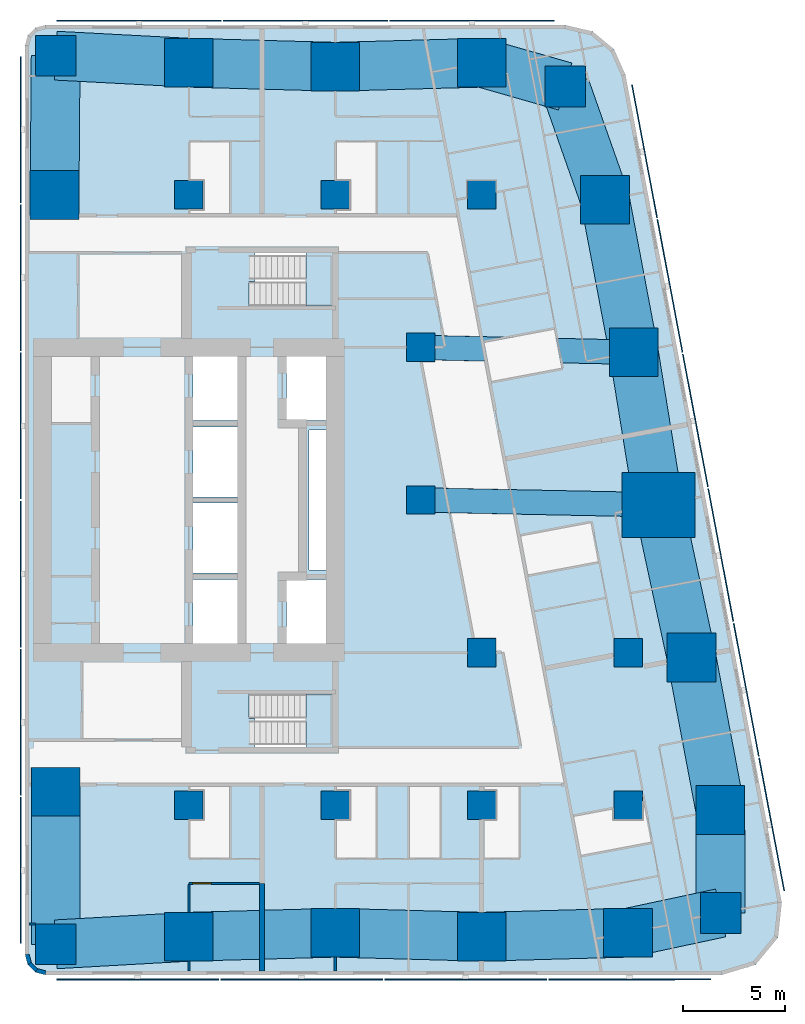
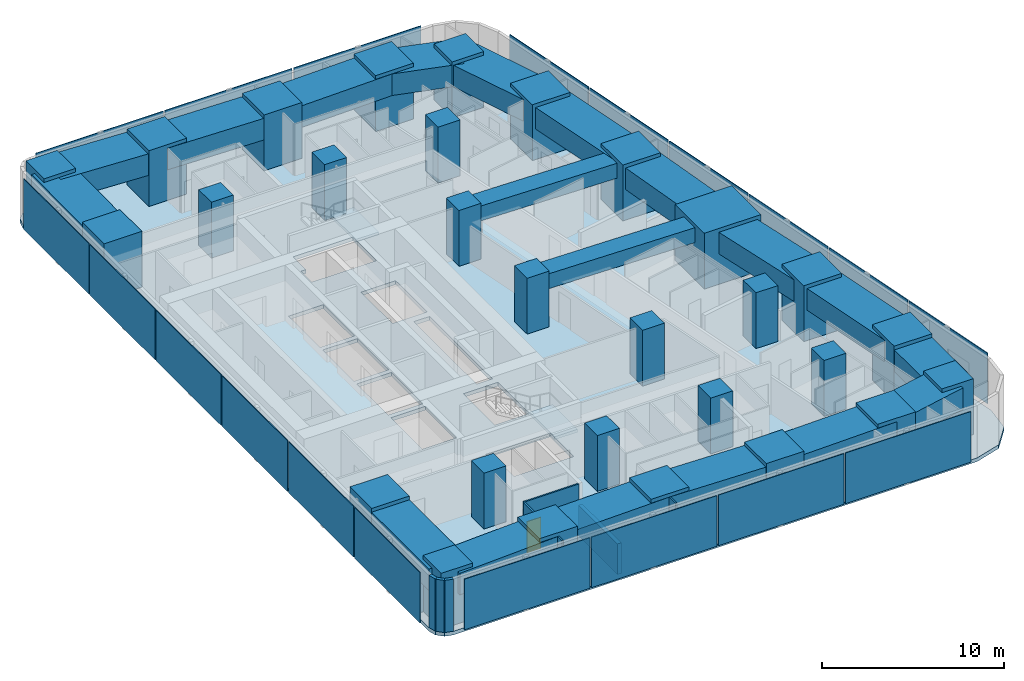
# One storey, part 1 of 10: 29 columns, 19 beams, 19 plates, 9 walls, 3 slabs, 1 door, 1 opening, 2 elements without a shape of their own.
"""IFC4 building model written with IfcOpenShell, lengths in metres."""

from ifc_helpers import new_model, si_unit, direction, frame, frame_2d, origin, origin_2d, place, context, subcontext, project, spatial, polyline, rectangle, outline, extrude, material, layer, layer_set, material_profile, profile_set, type_object, element, fill, aggregate, save


model = new_model("IFC4")

# Units and contexts
model_context = context("Model", 3, precision=1e-05, world=origin(), true_north=direction((0.0, 1.0)))
body_context = subcontext(model_context, "Body", "Model", "MODEL_VIEW")
ifc_project = project(units=[si_unit("LENGTHUNIT", "METRE"), si_unit("AREAUNIT", "SQUARE_METRE"), si_unit("VOLUMEUNIT", "CUBIC_METRE"), si_unit("PLANEANGLEUNIT", "RADIAN"), si_unit("MASSUNIT", "GRAM", prefix="KILO")], contexts=[model_context])

# Site, building, storey
site_placement = place(None, origin())
site = spatial("IfcSite", under=ifc_project, at=site_placement, CompositionType="ELEMENT")
building_placement = place(site_placement, origin())
building = spatial("IfcBuilding", under=site, at=building_placement, Name="Sheger Commons Tower", CompositionType="ELEMENT")
storey_placement = place(building_placement, frame((0.0, 0.0, 227.449951171875)))
storey = spatial("IfcBuildingStorey", under=building, at=storey_placement, Name="L58", CompositionType="ELEMENT", Elevation=227.449951171875)

# Columns
ifc_material_1 = material(Name="Concrete C50/60", Category="concrete")
ifc_material_profile_1 = material_profile(ifc_material_1, rectangle(XDim=3.60009765625, YDim=3.199951171875, at=origin_2d()), Name="RC 3600x3200")
ifc_profile_set_1 = profile_set([ifc_material_profile_1], Name="Concrete C50/60")
column_type_1 = type_object("IfcColumnType", Name="COLUMN PIER RC 3600x3200", PredefinedType="COLUMN", material=ifc_profile_set_1)
column_placement = place(storey_placement, frame((44.697021484375, 22.262939453125, 0.0), z_axis=(0.0, 0.0, 1.0), x_axis=(1.0, 0.0, 0.0)))
element("IfcColumn", 1, at=column_placement, inside=storey, type_object=column_type_1, Name="Pier 7/D+E/D L58", PredefinedType="COLUMN", context=body_context, shape_type="SweptSolid", body=[
    extrude(rectangle(XDim=3.60009765625, YDim=3.199951171875, at=origin_2d()), origin(), (0.0, 0.0, 1.0), 3.75),
])
ifc_material_2 = material(Name="Concrete C50/60", Category="concrete")
ifc_material_profile_2 = material_profile(ifc_material_2, rectangle(XDim=1.39990234375, YDim=1.39990234375, at=origin_2d()), Name="RC 1400x1400")
ifc_profile_set_2 = profile_set([ifc_material_profile_2], Name="Concrete C50/60")
column_type_2 = type_object("IfcColumnType", Name="COLUMN RC 1400x1400", PredefinedType="COLUMN", material=ifc_profile_set_2)
for number, where, z_axis, x_axis, name in (
    (2, (21.60009765625, 7.5, 0.0), (0.0, 0.0, 1.0), (1.0, 0.0, 0.0), "Column 4/B L58"),
    (3, (28.800048828125, 7.5, 0.0), (0.0, 0.0, 1.0), (1.0, 0.0, 0.0), "Column 5/B L58"),
    (4, (36.0, 7.5, 0.0), (0.0, 0.0, 1.0), (1.0, 0.0, 0.0), "Column 6/B L58"),
    (5, (43.199951171875, 7.5, 0.0), (0.0, 0.0, 1.0), (1.0, 0.0, 0.0), "Column 7/B L58"),
    (6, (36.0, 15.0, 0.0), (0.0, 0.0, 1.0), (1.0, 0.0, 0.0), "Column 6/C L58"),
    (7, (43.199951171875, 15.0, 0.0), (0.0, 0.0, 1.0), (1.0, 0.0, 0.0), "Column 7/C L58"),
    (8, (33.0, 22.5, 0.0), (0.0, 0.0, 1.0), (1.0, 0.0, 0.0), "Column 6-3000/D L58"),
    (9, (33.0, 30.0, 0.0), (0.0, 0.0, 1.0), (1.0, 0.0, 0.0), "Column 6-3000/E L58"),
    (10, (21.60009765625, 37.5, 0.0), (0.0, 0.0, 1.0), (1.0, 0.0, 0.0), "Column 4/F L58"),
    (11, (28.800048828125, 37.5, 0.0), (0.0, 0.0, 1.0), (1.0, 0.0, 0.0), "Column 5/F L58"),
    (12, (36.0, 37.5, 0.0), (0.0, 0.0, 1.0), (1.0, 0.0, 0.0), "Column 6/F L58"),
):
    element("IfcColumn", number, at=place(storey_placement, frame(where, z_axis=z_axis, x_axis=x_axis)), inside=storey, type_object=column_type_2, Name=name, PredefinedType="COLUMN", context=body_context, shape_type="SweptSolid", body=[
        extrude(rectangle(XDim=1.39990234375, YDim=1.39990234375, at=origin_2d()), origin(), (0.0, 0.0, 1.0), 3.75),
    ])
ifc_material_3 = material(Name="Concrete C50/60", Category="concrete")
ifc_material_profile_3 = material_profile(ifc_material_3, rectangle(XDim=2.0, YDim=2.0, at=origin_2d()), Name="RC 2000x2000")
ifc_profile_set_3 = profile_set([ifc_material_profile_3], Name="Concrete C50/60")
column_type_3 = type_object("IfcColumnType", Name="COLUMN RC 2000x2000", PredefinedType="COLUMN", material=ifc_profile_set_3)
for number, where, z_axis, x_axis, name in (
    (13, (15.053955078125, 0.654052734375, 0.0), (0.0, 0.0, 1.0), (1.0, 0.0, 0.0), "Column 3/A L58"),
    (14, (47.748046875, 2.197021484375, 0.0), (0.0, 0.0, 1.0), (1.0, 0.0, 0.0), "Column 49.461,0.778 L58"),
    (15, (40.10205078125, 42.830078125, 0.0), (0.0, 0.0, 1.0), (1.0, 0.0, 0.0), "Column 41.490,44.505 L58"),
    (16, (15.053955078125, 44.345947265625, 0.0), (0.0, 0.0, 1.0), (1.0, 0.0, 0.0), "Column 3/G L58"),
):
    element("IfcColumn", number, at=place(storey_placement, frame(where, z_axis=z_axis, x_axis=x_axis)), inside=storey, type_object=column_type_3, Name=name, PredefinedType="COLUMN", context=body_context, shape_type="SweptSolid", body=[
        extrude(rectangle(XDim=2.0, YDim=2.0, at=origin_2d()), origin(), (0.0, 0.0, 1.0), 3.75),
    ])
ifc_material_4 = material(Name="Concrete C50/60", Category="concrete")
ifc_material_profile_4 = material_profile(ifc_material_4, rectangle(XDim=2.39990234375, YDim=2.39990234375, at=origin_2d()), Name="RC 2400x2400")
ifc_profile_set_4 = profile_set([ifc_material_profile_4], Name="Concrete C50/60")
column_type_4 = type_object("IfcColumnType", Name="COLUMN RC 2400x2400", PredefinedType="COLUMN", material=ifc_profile_set_4)
for number, where, z_axis, x_axis, name in (
    (17, (21.60009765625, 1.02490234375, 0.0), (0.0, 0.0, 1.0), (1.0, 0.0, 0.0), "Column 4/A L58"),
    (18, (28.800048828125, 1.22509765625, 0.0), (0.0, 0.0, 1.0), (1.0, 0.0, 0.0), "Column 5/A L58"),
    (19, (36.0, 1.02490234375, 0.0), (0.0, 0.0, 1.0), (1.0, 0.0, 0.0), "Column 6/A L58"),
    (20, (43.199951171875, 1.22509765625, 0.0), (0.0, 0.0, 1.0), (1.0, 0.0, 0.0), "Column 7/A L58"),
    (21, (15.053955078125, 8.154052734375, 0.0), (0.0, 0.0, 1.0), (1.0, 0.0, 0.0), "Column 3/B L58"),
    (22, (47.72998046875, 7.262939453125, 0.0), (0.0, 0.0, 1.0), (1.0, 0.0, 0.0), "Column E/B L58"),
    (23, (46.31396484375, 14.762939453125, 0.0), (0.0, 0.0, 1.0), (1.0, 0.0, 0.0), "Column E/C L58"),
    (24, (43.47998046875, 29.762939453125, 0.0), (0.0, 0.0, 1.0), (1.0, 0.0, 0.0), "Column E/E L58"),
    (25, (15.0, 37.5, 0.0), (0.0, 0.0, 1.0), (1.0, 0.0, 0.0), "Column 3/F L58"),
    (26, (42.06396484375, 37.262939453125, 0.0), (0.0, 0.0, 1.0), (1.0, 0.0, 0.0), "Column E/F L58"),
    (27, (21.60009765625, 44.0, 0.0), (0.0, 0.0, 1.0), (1.0, 0.0, 0.0), "Column 4/G L58"),
    (28, (28.800048828125, 43.800048828125, 0.0), (0.0, 0.0, 1.0), (1.0, 0.0, 0.0), "Column 5/G L58"),
    (29, (36.0, 44.0, 0.0), (0.0, 0.0, 1.0), (1.0, 0.0, 0.0), "Column 6/G L58"),
):
    element("IfcColumn", number, at=place(storey_placement, frame(where, z_axis=z_axis, x_axis=x_axis)), inside=storey, type_object=column_type_4, Name=name, PredefinedType="COLUMN", context=body_context, shape_type="SweptSolid", body=[
        extrude(rectangle(XDim=2.39990234375, YDim=2.39990234375, at=origin_2d()), origin(), (0.0, 0.0, 1.0), 3.75),
    ])

# Beams
ifc_material_5 = material(Name="Concrete C50/60", Category="concrete")
ifc_material_profile_5 = material_profile(ifc_material_5, rectangle(XDim=1.199951171875, YDim=1.0, at=origin_2d()), Name="RC 1200x1000")
ifc_profile_set_5 = profile_set([ifc_material_profile_5], Name="Concrete C50/60")
beam_type_1 = type_object("IfcBeamType", Name="BEAM RC 1200x1000", PredefinedType="BEAM", material=ifc_profile_set_5)
beam_1_placement = place(storey_placement, frame((33.0, 22.5, 3.0), z_axis=(0.999794692776, -0.02026258368, 0.0), x_axis=(0.02026258368, 0.999794692776, 0.0)))
element("IfcBeam", 30, at=beam_1_placement, inside=storey, type_object=beam_type_1, Name="Beam 6-3000/D-7/D under L59", PredefinedType="BEAM", context=body_context, shape_type="SweptSolid", body=[
    extrude(rectangle(XDim=1.199951171875, YDim=1.0, at=origin_2d()), origin(), (0.0, 0.0, 1.0), 11.699462890625),
])
beam_2_placement = place(storey_placement, frame((33.0, 30.0, 3.0), z_axis=(0.999744258625, -0.022614538395, 0.0), x_axis=(0.022614538395, 0.999744258625, 0.0)))
element("IfcBeam", 31, at=beam_2_placement, inside=storey, type_object=beam_type_1, Name="Beam 6-3000/E-E/E under L59", PredefinedType="BEAM", context=body_context, shape_type="SweptSolid", body=[
    extrude(rectangle(XDim=1.199951171875, YDim=1.0, at=origin_2d()), origin(), (0.0, 0.0, 1.0), 10.482666015625),
])
ifc_material_6 = material(Name="Concrete C50/60", Category="concrete")
ifc_material_profile_6 = material_profile(ifc_material_6, rectangle(XDim=2.39990234375, YDim=1.449951171875, at=origin_2d()), Name="RC 2400x1450")
ifc_profile_set_6 = profile_set([ifc_material_profile_6], Name="Concrete C50/60")
beam_type_2 = type_object("IfcBeamType", Name="SPANDREL RC 2400x1450", PredefinedType="SPANDREL", material=ifc_profile_set_6)
beam_3_placement = place(storey_placement, frame((15.053955078125, 0.654052734375, 2.775146484375), z_axis=(0.998399149044, 0.056560933405, 0.0), x_axis=(-0.056560933405, 0.998399149044, 0.0)))
element("IfcBeam", 32, at=beam_3_placement, inside=storey, type_object=beam_type_2, Name="Beam 3/A-4/A under L59", PredefinedType="SPANDREL", context=body_context, shape_type="SweptSolid", body=[
    extrude(rectangle(XDim=2.39990234375, YDim=1.449951171875, at=origin_2d()), origin(), (0.0, 0.0, 1.0), 6.556640625),
])
for number, where, z_axis, x_axis, name in (
    (33, (21.60009765625, 1.02490234375, 2.775146484375), (0.9996136624, 0.027794350926, 0.0), (-0.027794350926, 0.9996136624, 0.0), "Beam 4/A-5/A under L59"),
    (34, (28.800048828125, 1.22509765625, 2.775146484375), (0.9996136624, -0.027794350926, 0.0), (0.027794350926, 0.9996136624, 0.0), "Beam 5/A-6/A under L59"),
    (35, (36.0, 1.02490234375, 2.775146484375), (0.9996136624, 0.027794350926, 0.0), (-0.027794350926, 0.9996136624, 0.0), "Beam 6/A-7/A under L59"),
):
    element("IfcBeam", number, at=place(storey_placement, frame(where, z_axis=z_axis, x_axis=x_axis)), inside=storey, type_object=beam_type_2, Name=name, PredefinedType="SPANDREL", context=body_context, shape_type="SweptSolid", body=[
        extrude(rectangle(XDim=2.39990234375, YDim=1.449951171875, at=origin_2d()), origin(), (0.0, 0.0, 1.0), 7.20263671875),
    ])
beam_4_placement = place(storey_placement, frame((43.199951171875, 1.22509765625, 2.775146484375), z_axis=(0.977919796671, 0.208980552394, 0.0), x_axis=(-0.208980552394, 0.977919796671, 0.0)))
element("IfcBeam", 36, at=beam_4_placement, inside=storey, type_object=beam_type_2, Name="Beam 7/A-49.461,0.778 under L59", PredefinedType="SPANDREL", context=body_context, shape_type="SweptSolid", body=[
    extrude(rectangle(XDim=2.39990234375, YDim=1.449951171875, at=origin_2d()), origin(), (0.0, 0.0, 1.0), 4.65087890625),
])
beam_5_placement = place(storey_placement, frame((47.748046875, 2.197021484375, 2.775146484375), z_axis=(-0.003566242382, 0.999993640937, 0.0), x_axis=(-0.999993640937, -0.003566242382, 0.0)))
element("IfcBeam", 37, at=beam_5_placement, inside=storey, type_object=beam_type_2, Name="Beam 49.461,0.778-E/B under L59", PredefinedType="SPANDREL", context=body_context, shape_type="SweptSolid", body=[
    extrude(rectangle(XDim=2.39990234375, YDim=1.449951171875, at=origin_2d()), origin(), (0.0, 0.0, 1.0), 5.06591796875),
])
beam_6_placement = place(storey_placement, frame((47.72998046875, 7.262939453125, 2.775146484375), z_axis=(-0.18552441405, 0.982639655108, 0.0), x_axis=(-0.982639655108, -0.18552441405, 0.0)))
element("IfcBeam", 38, at=beam_6_placement, inside=storey, type_object=beam_type_2, Name="Beam E/B-E/C under L59", PredefinedType="SPANDREL", context=body_context, shape_type="SweptSolid", body=[
    extrude(rectangle(XDim=2.39990234375, YDim=1.449951171875, at=origin_2d()), origin(), (0.0, 0.0, 1.0), 7.632568359375),
])
beam_7_placement = place(storey_placement, frame((46.31396484375, 14.762939453125, 2.775146484375), z_axis=(-0.210750229323, 0.977539943348, 0.0), x_axis=(-0.977539943348, -0.210750229323, 0.0)))
element("IfcBeam", 39, at=beam_7_placement, inside=storey, type_object=beam_type_2, Name="Beam E/C-E/D under L59", PredefinedType="SPANDREL", context=body_context, shape_type="SweptSolid", body=[
    extrude(rectangle(XDim=2.39990234375, YDim=1.449951171875, at=origin_2d()), origin(), (0.0, 0.0, 1.0), 7.67236328125),
])
beam_8_placement = place(storey_placement, frame((44.697021484375, 22.262939453125, 2.775146484375), z_axis=(-0.160176929512, 0.987088319884, 0.0), x_axis=(-0.987088319884, -0.160176929512, 0.0)))
element("IfcBeam", 40, at=beam_8_placement, inside=storey, type_object=beam_type_2, Name="Beam E/D-E/E under L59", PredefinedType="SPANDREL", context=body_context, shape_type="SweptSolid", body=[
    extrude(rectangle(XDim=2.39990234375, YDim=1.449951171875, at=origin_2d()), origin(), (0.0, 0.0, 1.0), 7.59814453125),
])
beam_9_placement = place(storey_placement, frame((43.47998046875, 29.762939453125, 2.775146484375), z_axis=(-0.18552441405, 0.982639655108, 0.0), x_axis=(-0.982639655108, -0.18552441405, 0.0)))
element("IfcBeam", 41, at=beam_9_placement, inside=storey, type_object=beam_type_2, Name="Beam E/E-E/F under L59", PredefinedType="SPANDREL", context=body_context, shape_type="SweptSolid", body=[
    extrude(rectangle(XDim=2.39990234375, YDim=1.449951171875, at=origin_2d()), origin(), (0.0, 0.0, 1.0), 7.632568359375),
])
beam_10_placement = place(storey_placement, frame((42.06396484375, 37.262939453125, 2.775146484375), z_axis=(-0.332374403357, 0.943147526102, 0.0), x_axis=(-0.943147526102, -0.332374403357, 0.0)))
element("IfcBeam", 42, at=beam_10_placement, inside=storey, type_object=beam_type_2, Name="Beam E/F-41.490,44.505 under L59", PredefinedType="SPANDREL", context=body_context, shape_type="SweptSolid", body=[
    extrude(rectangle(XDim=2.39990234375, YDim=1.449951171875, at=origin_2d()), origin(), (0.0, 0.0, 1.0), 5.90283203125),
])
beam_11_placement = place(storey_placement, frame((40.10205078125, 42.830078125, 2.775146484375), z_axis=(-0.961653428129, 0.274267541221, 0.0), x_axis=(-0.274267541221, -0.961653428129, 0.0)))
element("IfcBeam", 43, at=beam_11_placement, inside=storey, type_object=beam_type_2, Name="Beam 41.490,44.505-6/G under L59", PredefinedType="SPANDREL", context=body_context, shape_type="SweptSolid", body=[
    extrude(rectangle(XDim=2.39990234375, YDim=1.449951171875, at=origin_2d()), origin(), (0.0, 0.0, 1.0), 4.265625),
])
for number, where, z_axis, x_axis, name in (
    (44, (36.0, 44.0, 2.775146484375), (-0.999614603568, -0.027760481514, 0.0), (0.027760481514, -0.999614603568, 0.0), "Beam 6/G-5/G under L59"),
    (45, (28.800048828125, 43.800048828125, 2.775146484375), (-0.999614603568, 0.027760481514, 0.0), (-0.027760481514, -0.999614603568, 0.0), "Beam 5/G-4/G under L59"),
):
    element("IfcBeam", number, at=place(storey_placement, frame(where, z_axis=z_axis, x_axis=x_axis)), inside=storey, type_object=beam_type_2, Name=name, PredefinedType="SPANDREL", context=body_context, shape_type="SweptSolid", body=[
        extrude(rectangle(XDim=2.39990234375, YDim=1.449951171875, at=origin_2d()), origin(), (0.0, 0.0, 1.0), 7.20263671875),
    ])
beam_12_placement = place(storey_placement, frame((21.60009765625, 44.0, 2.775146484375), z_axis=(-0.998606489137, 0.052773855783, 0.0), x_axis=(-0.052773855783, -0.998606489137, 0.0)))
element("IfcBeam", 46, at=beam_12_placement, inside=storey, type_object=beam_type_2, Name="Beam 4/G-3/G under L59", PredefinedType="SPANDREL", context=body_context, shape_type="SweptSolid", body=[
    extrude(rectangle(XDim=2.39990234375, YDim=1.449951171875, at=origin_2d()), origin(), (0.0, 0.0, 1.0), 6.55517578125),
])
beam_13_placement = place(storey_placement, frame((15.053955078125, 44.345947265625, 2.775146484375), z_axis=(-0.00788107188, -0.999968943871, 0.0), x_axis=(0.999968943871, -0.00788107188, 0.0)))
element("IfcBeam", 47, at=beam_13_placement, inside=storey, type_object=beam_type_2, Name="Beam 3/G-3/F under L59", PredefinedType="SPANDREL", context=body_context, shape_type="SweptSolid", body=[
    extrude(rectangle(XDim=2.39990234375, YDim=1.449951171875, at=origin_2d()), origin(), (0.0, 0.0, 1.0), 6.84619140625),
])
beam_14_placement = place(storey_placement, frame((15.053955078125, 8.154052734375, 2.775146484375), z_axis=(0.0, -1.0, 0.0), x_axis=(1.0, 0.0, 0.0)))
element("IfcBeam", 48, at=beam_14_placement, inside=storey, type_object=beam_type_2, Name="Beam 3/B-3/A under L59", PredefinedType="SPANDREL", context=body_context, shape_type="SweptSolid", body=[
    extrude(rectangle(XDim=2.39990234375, YDim=1.449951171875, at=origin_2d()), origin(), (0.0, 0.0, 1.0), 7.5),
])

# Slab
ifc_material_7 = material(Name="Concrete C35/45", Category="concrete")
ifc_layer_1 = layer(ifc_material_7, 0.25)
ifc_layer_set_1 = layer_set([ifc_layer_1], Name="SLAB FLOOR 250")
slab_type_1 = type_object("IfcSlabType", Name="SLAB FLOOR 250", PredefinedType="FLOOR", material=ifc_layer_set_1)
slab_1_placement = place(storey_placement, frame((0.0, 0.0, -0.25)))
element("IfcSlab", 49, at=slab_1_placement, inside=storey, type_object=slab_type_1, Name="L58 floor slab", PredefinedType="FLOOR", context=body_context, shape_type="SweptSolid", body=[
    extrude(outline(polyline([(13.550048828125, 0.14990234375), (13.68408203125, -0.35009765625), (14.050048828125, -0.716064453125), (14.550048828125, -0.85009765625), (47.805908203125, -0.85009765625), (49.465087890625, -0.35009765625), (50.570068359375, 0.98388671875), (50.75390625, 2.70703125), (43.06591796875, 43.406982421875), (42.509033203125, 44.660888671875), (41.452880859375, 45.535888671875), (40.117919921875, 45.85009765625), (14.550048828125, 45.85009765625), (14.050048828125, 45.716064453125), (13.68408203125, 45.35009765625), (13.550048828125, 44.85009765625), (13.550048828125, 0.14990234375)]), holes=[polyline([(24.85009765625, 10.35009765625), (28.64990234375, 10.35009765625), (28.64990234375, 12.949951171875), (24.551025390625, 12.949951171875), (24.551025390625, 11.75), (24.85009765625, 11.75), (24.85009765625, 10.35009765625)]), polyline([(24.551025390625, 32.050048828125), (28.64990234375, 32.050048828125), (28.64990234375, 34.64990234375), (24.85009765625, 34.64990234375), (24.85009765625, 33.25), (24.551025390625, 33.25), (24.551025390625, 32.050048828125)]), polyline([(26.39990234375, 15.14990234375), (28.60009765625, 15.14990234375), (28.60009765625, 18.60009765625), (26.39990234375, 18.60009765625), (26.39990234375, 15.14990234375)]), polyline([(26.39990234375, 26.39990234375), (28.60009765625, 26.39990234375), (28.60009765625, 29.85009765625), (26.39990234375, 29.85009765625), (26.39990234375, 26.39990234375)]), polyline([(21.800048828125, 15.14990234375), (24.0, 15.14990234375), (24.0, 18.60009765625), (21.800048828125, 18.60009765625), (21.800048828125, 15.14990234375)]), polyline([(21.800048828125, 18.89990234375), (24.0, 18.89990234375), (24.0, 22.35009765625), (21.800048828125, 22.35009765625), (21.800048828125, 18.89990234375)]), polyline([(21.800048828125, 22.64990234375), (24.0, 22.64990234375), (24.0, 26.10009765625), (21.800048828125, 26.10009765625), (21.800048828125, 22.64990234375)]), polyline([(21.800048828125, 26.39990234375), (24.0, 26.39990234375), (24.0, 29.85009765625), (21.800048828125, 29.85009765625), (21.800048828125, 26.39990234375)]), polyline([(27.5, 19.050048828125), (28.5, 19.050048828125), (28.5, 25.949951171875), (27.5, 25.949951171875), (27.5, 19.050048828125)])]), origin(), (0.0, 0.0, 1.0), 0.25),
])

# Plates
ifc_material_8 = material(Name="Perforated black anodised aluminium screen", Category="aluminium")
ifc_layer_2 = layer(ifc_material_8, 0.050048828125)
ifc_layer_set_2 = layer_set([ifc_layer_2], Name="SOLAR SCREEN SCREEN-1")
plate_type = type_object("IfcPlateType", Name="SOLAR SCREEN SCREEN-1", PredefinedType="USERDEFINED", material=ifc_layer_set_2)
for number, where, z_axis, x_axis, name in (
    (50, (19.08203125, -1.074951171875, 0.050048828125), (0.0, 0.0, 1.0), (1.0, 0.0, 0.0), "Perforated solar screen panel"),
    (51, (27.14599609375, -1.074951171875, 0.050048828125), (0.0, 0.0, 1.0), (1.0, 0.0, 0.0), "Perforated solar screen panel"),
    (52, (35.2099609375, -1.074951171875, 0.050048828125), (0.0, 0.0, 1.0), (1.0, 0.0, 0.0), "Perforated solar screen panel"),
    (53, (43.27392578125, -1.074951171875, 0.050048828125), (0.0, 0.0, 1.0), (1.0, 0.0, 0.0), "Perforated solar screen panel"),
):
    element("IfcPlate", number, at=place(storey_placement, frame(where, z_axis=z_axis, x_axis=x_axis)), inside=storey, type_object=plate_type, Name=name, ObjectType="SCREEN", PredefinedType="USERDEFINED", context=body_context, shape_type="SweptSolid", body=[
        extrude(rectangle(XDim=7.964111328125, YDim=0.050048828125, at=origin_2d()), origin(), (0.0, 0.0, 1.0), 3.39990234375),
    ])
for number, where, z_axis, x_axis, name in (
    (54, (50.257080078125, 6.550048828125, 0.050048828125), (0.0, 0.0, 1.0), (-0.185615165645, 0.982622516678, 0.0), "Perforated solar screen panel"),
    (55, (49.007080078125, 13.1689453125, 0.050048828125), (0.0, 0.0, 1.0), (-0.185615165645, 0.982622516678, 0.0), "Perforated solar screen panel"),
    (56, (47.756103515625, 19.7890625, 0.050048828125), (0.0, 0.0, 1.0), (-0.185615165645, 0.982622516678, 0.0), "Perforated solar screen panel"),
    (57, (46.506103515625, 26.408935546875, 0.050048828125), (0.0, 0.0, 1.0), (-0.185615165645, 0.982622516678, 0.0), "Perforated solar screen panel"),
    (58, (45.2548828125, 33.028076171875, 0.050048828125), (0.0, 0.0, 1.0), (-0.185615165645, 0.982622516678, 0.0), "Perforated solar screen panel"),
    (59, (44.0048828125, 39.64794921875, 0.050048828125), (0.0, 0.0, 1.0), (-0.185615165645, 0.982622516678, 0.0), "Perforated solar screen panel"),
):
    element("IfcPlate", number, at=place(storey_placement, frame(where, z_axis=z_axis, x_axis=x_axis)), inside=storey, type_object=plate_type, Name=name, ObjectType="SCREEN", PredefinedType="USERDEFINED", context=body_context, shape_type="SweptSolid", body=[
        extrude(rectangle(XDim=6.636962890625, YDim=0.050048828125, at=origin_2d()), origin(), (0.0, 0.0, 1.0), 3.39990234375),
    ])
for number, where, z_axis, x_axis, name in (
    (60, (35.52294921875, 46.074951171875, 0.050048828125), (0.0, 0.0, 1.0), (-1.0, 0.0, 0.0), "Perforated solar screen panel"),
    (61, (27.333984375, 46.074951171875, 0.050048828125), (0.0, 0.0, 1.0), (-1.0, 0.0, 0.0), "Perforated solar screen panel"),
    (62, (19.14501953125, 46.074951171875, 0.050048828125), (0.0, 0.0, 1.0), (-1.0, 0.0, 0.0), "Perforated solar screen panel"),
):
    element("IfcPlate", number, at=place(storey_placement, frame(where, z_axis=z_axis, x_axis=x_axis)), inside=storey, type_object=plate_type, Name=name, ObjectType="SCREEN", PredefinedType="USERDEFINED", context=body_context, shape_type="SweptSolid", body=[
        extrude(rectangle(XDim=8.089111328125, YDim=0.050048828125, at=origin_2d()), origin(), (0.0, 0.0, 1.0), 3.39990234375),
    ])
for number, where, z_axis, x_axis, name in (
    (63, (13.324951171875, 40.7080078125, 0.050048828125), (0.0, 0.0, 1.0), (0.0, -1.0, 0.0), "Perforated solar screen panel"),
    (64, (13.324951171875, 33.425048828125, 0.050048828125), (0.0, 0.0, 1.0), (0.0, -1.0, 0.0), "Perforated solar screen panel"),
    (65, (13.324951171875, 26.14208984375, 0.050048828125), (0.0, 0.0, 1.0), (0.0, -1.0, 0.0), "Perforated solar screen panel"),
    (66, (13.324951171875, 18.85791015625, 0.050048828125), (0.0, 0.0, 1.0), (0.0, -1.0, 0.0), "Perforated solar screen panel"),
    (67, (13.324951171875, 11.574951171875, 0.050048828125), (0.0, 0.0, 1.0), (0.0, -1.0, 0.0), "Perforated solar screen panel"),
    (68, (13.324951171875, 4.2919921875, 0.050048828125), (0.0, 0.0, 1.0), (0.0, -1.0, 0.0), "Perforated solar screen panel"),
):
    element("IfcPlate", number, at=place(storey_placement, frame(where, z_axis=z_axis, x_axis=x_axis)), inside=storey, type_object=plate_type, Name=name, ObjectType="SCREEN", PredefinedType="USERDEFINED", context=body_context, shape_type="SweptSolid", body=[
        extrude(rectangle(XDim=7.18310546875, YDim=0.050048828125, at=origin_2d()), origin(), (0.0, 0.0, 1.0), 3.39990234375),
    ])

# Stair, slab
ifc_material_9 = material(Name="Concrete C35/45", Category="concrete")
stair_type = type_object("IfcStairType", Name="HALF-TURN STAIR 1200 RISE 3750", PredefinedType="HALF_TURN_STAIR", material=ifc_material_9)
stair_1_placement = place(storey_placement, origin())
stair_1 = element("IfcStair", 69, at=stair_1_placement, inside=storey, type_object=stair_type, Name="Stair S1 L58", PredefinedType="HALF_TURN_STAIR")
ifc_material_10 = material(Name="Concrete C35/45", Category="concrete")
ifc_layer_3 = layer(ifc_material_10, 0.199951171875)
ifc_layer_set_3 = layer_set([ifc_layer_3], Name="STAIR LANDING 200")
slab_type_2 = type_object("IfcSlabType", Name="STAIR LANDING 200", PredefinedType="LANDING", material=ifc_layer_set_3)
slab_2_placement = place(storey_placement, frame((0.0, 0.0, 1.675048828125)))
slab_2 = element("IfcSlab", 70, at=slab_2_placement, type_object=slab_type_2, Name="S1 landing 1", PredefinedType="LANDING", context=body_context, shape_type="SweptSolid", body=[
    extrude(outline(polyline([(27.35009765625, 10.199951171875), (28.800048828125, 10.199951171875), (28.800048828125, 12.949951171875), (27.35009765625, 12.949951171875), (27.35009765625, 10.199951171875)])), origin(), (0.0, 0.0, 1.0), 0.199951171875),
])
aggregate(stair_1, [slab_2])

stair_2_placement = place(storey_placement, origin())
stair_2 = element("IfcStair", 71, at=stair_2_placement, inside=storey, type_object=stair_type, Name="Stair S2 L58", PredefinedType="HALF_TURN_STAIR")
slab_3_placement = place(storey_placement, frame((0.0, 0.0, 1.675048828125)))
slab_3 = element("IfcSlab", 72, at=slab_3_placement, type_object=slab_type_2, Name="S2 landing 1", PredefinedType="LANDING", context=body_context, shape_type="SweptSolid", body=[
    extrude(outline(polyline([(27.35009765625, 32.050048828125), (28.800048828125, 32.050048828125), (28.800048828125, 34.800048828125), (27.35009765625, 34.800048828125), (27.35009765625, 32.050048828125)])), origin(), (0.0, 0.0, 1.0), 0.199951171875),
])
aggregate(stair_2, [slab_3])

# Walls
ifc_material_11 = material(Name="Dense concrete block masonry, plastered both sides (separating wall between flats)", Category="masonry")
ifc_layer_4 = layer(ifc_material_11, 0.25)
ifc_layer_set_4 = layer_set([ifc_layer_4], Name="DEMISING WALL 250")
wall_type_1 = type_object("IfcWallType", Name="DEMISING WALL 250", PredefinedType="SOLIDWALL", material=ifc_layer_set_4)
wall_1_placement = place(storey_placement, frame((25.199951171875, -0.64990234375, 0.0), z_axis=(0.0, 0.0, 1.0), x_axis=(0.0, 1.0, 0.0)))
element("IfcWall", 73, at=wall_1_placement, inside=storey, type_object=wall_type_1, Name="Demising wall L58", PredefinedType="SOLIDWALL", context=body_context, shape_type="SweptSolid", body=[
    extrude(rectangle(XDim=4.2998046875, YDim=0.25, at=frame_2d((2.14990234375, 0.0))), origin(), (0.0, 0.0, 1.0), 2.050048828125),
])
ifc_material_12 = material(Name="Rendered concrete block masonry, dark grey", Category="masonry")
ifc_layer_5 = layer(ifc_material_12, 0.199951171875)
ifc_layer_set_5 = layer_set([ifc_layer_5], Name="FACADE WALL 200")
wall_type_2 = type_object("IfcWallType", Name="FACADE WALL 200", PredefinedType="SOLIDWALL", material=ifc_layer_set_5)
wall_2_placement = place(storey_placement, frame((13.64990234375, 0.1630859375, 0.0), z_axis=(0.0, 0.0, 1.0), x_axis=(0.259698463175, -0.965689757751, 0.0)))
element("IfcWall", 74, at=wall_2_placement, inside=storey, type_object=wall_type_2, Name="Facade wall L58", PredefinedType="SOLIDWALL", context=body_context, shape_type="SweptSolid", body=[
    extrude(rectangle(XDim=0.4775390625, YDim=0.199951171875, at=frame_2d((0.23876953125, 0.0))), origin(), (0.0, 0.0, 1.0), 3.5),
])
wall_3_placement = place(storey_placement, frame((13.77392578125, -0.298095703125, 0.0), z_axis=(0.0, 0.0, 1.0), x_axis=(0.707369890659, -0.706843573776, 0.0)))
element("IfcWall", 75, at=wall_3_placement, inside=storey, type_object=wall_type_2, Name="Facade wall L58", PredefinedType="SOLIDWALL", context=body_context, shape_type="SweptSolid", body=[
    extrude(rectangle(XDim=0.4638671875, YDim=0.199951171875, at=frame_2d((0.23193359375, 0.0))), origin(), (0.0, 0.0, 1.0), 3.5),
])
wall_4_placement = place(storey_placement, frame((14.10205078125, -0.6259765625, 0.0), z_axis=(0.0, 0.0, 1.0), x_axis=(0.965655254015, -0.259826731483, 0.0)))
element("IfcWall", 76, at=wall_4_placement, inside=storey, type_object=wall_type_2, Name="Facade wall L58", PredefinedType="SOLIDWALL", context=body_context, shape_type="SweptSolid", body=[
    extrude(rectangle(XDim=0.477294921875, YDim=0.199951171875, at=frame_2d((0.23876953125, 0.0))), origin(), (0.0, 0.0, 1.0), 3.5),
])
ifc_material_13 = material(Name="Gypsum board on steel studs", Category="steel")
ifc_layer_6 = layer(ifc_material_13, 0.10009765625)
ifc_layer_set_6 = layer_set([ifc_layer_6], Name="PARTITION 100")
wall_type_3 = type_object("IfcWallType", Name="PARTITION 100", PredefinedType="PARTITIONING", material=ifc_layer_set_6)
wall_5_placement = place(storey_placement, frame((13.75, 1.654052734375, 0.0), z_axis=(0.0, 0.0, 1.0), x_axis=(1.0, 0.0, 0.0)))
element("IfcWall", 77, at=wall_5_placement, inside=storey, type_object=wall_type_3, Name="Partition L58", PredefinedType="PARTITIONING", context=body_context, shape_type="SweptSolid", body=[
    extrude(rectangle(XDim=0.303955078125, YDim=0.10009765625, at=frame_2d((0.15185546875, 0.0))), origin(), (0.0, 0.0, 1.0), 2.050048828125),
])

# Wall, opening, door
wall_6_placement = place(storey_placement, frame((25.074951171875, 3.64990234375, 0.0), z_axis=(0.0, 0.0, 1.0), x_axis=(-1.0, 0.0, 0.0)))
wall_6 = element("IfcWall", 78, at=wall_6_placement, inside=storey, type_object=wall_type_3, Name="Partition L58", PredefinedType="PARTITIONING", context=body_context, shape_type="SweptSolid", body=[
    extrude(rectangle(XDim=3.474853515625, YDim=0.10009765625, at=frame_2d((1.7373046875, 0.0))), origin(), (0.0, 0.0, 1.0), 3.5),
])
opening_placement = place(wall_6_placement, frame((2.375, 0.0, 0.0)))
opening = element("IfcOpeningElement", 79, at=opening_placement, cuts=wall_6, Name="Opening D2", PredefinedType="OPENING", context=body_context, shape_type="SweptSolid", body=[
    extrude(rectangle(XDim=0.89990234375, YDim=2.10009765625, at=frame_2d((0.449951171875, 1.050048828125))), frame((0.0, 0.06005859375, 0.0), z_axis=(0.0, -1.0, 0.0), x_axis=(1.0, 0.0, 0.0)), (0.0, 0.0, 1.0), 0.1201171875),
])
ifc_material_14 = material(Name="Timber door set", Category="wood")
door_type = type_object("IfcDoorType", Name="INTERNAL DOOR 900x2100", OperationType="NOTDEFINED", PredefinedType="DOOR", material=ifc_material_14)
door_placement = place(opening_placement, origin())
door = element("IfcDoor", 80, at=door_placement, inside=storey, type_object=door_type, Name="Main bedroom door", OperationType="SINGLE_SWING_RIGHT", OverallHeight=2.10009765625, OverallWidth=0.89990234375, PredefinedType="DOOR", context=body_context, shape_type="SweptSolid", body=[
    extrude(rectangle(XDim=0.89990234375, YDim=2.10009765625, at=frame_2d((0.449951171875, 1.050048828125))), frame((0.0, 0.02490234375, 0.0), z_axis=(0.0, -1.0, 0.0), x_axis=(1.0, 0.0, 0.0)), (0.0, 0.0, 1.0), 0.050048828125),
])
fill(opening, door)

# Walls
wall_7_placement = place(storey_placement, frame((21.60009765625, -0.64990234375, 0.0), z_axis=(0.0, 0.0, 1.0), x_axis=(0.0, 1.0, 0.0)))
element("IfcWall", 81, at=wall_7_placement, inside=storey, type_object=wall_type_3, Name="Partition L58", PredefinedType="PARTITIONING", context=body_context, shape_type="SweptSolid", body=[
    extrude(rectangle(XDim=0.473876953125, YDim=0.10009765625, at=frame_2d((0.23681640625, 0.0))), origin(), (0.0, 0.0, 1.0), 3.5),
])
wall_8_placement = place(storey_placement, frame((21.60009765625, 2.22607421875, 0.0), z_axis=(0.0, 0.0, 1.0), x_axis=(0.0, 1.0, 0.0)))
element("IfcWall", 82, at=wall_8_placement, inside=storey, type_object=wall_type_3, Name="Partition L58", PredefinedType="PARTITIONING", context=body_context, shape_type="SweptSolid", body=[
    extrude(rectangle(XDim=1.3740234375, YDim=0.10009765625, at=frame_2d((0.68701171875, 0.0))), origin(), (0.0, 0.0, 1.0), 3.5),
])
wall_9_placement = place(storey_placement, frame((28.800048828125, -0.64990234375, 0.0), z_axis=(0.0, 0.0, 1.0), x_axis=(0.0, 1.0, 0.0)))
element("IfcWall", 83, at=wall_9_placement, inside=storey, type_object=wall_type_3, Name="Partition L58", PredefinedType="PARTITIONING", context=body_context, shape_type="SweptSolid", body=[
    extrude(rectangle(XDim=0.673828125, YDim=0.10009765625, at=frame_2d((0.3369140625, 0.0))), origin(), (0.0, 0.0, 1.0), 3.5),
])

save(model, "model.ifc")
